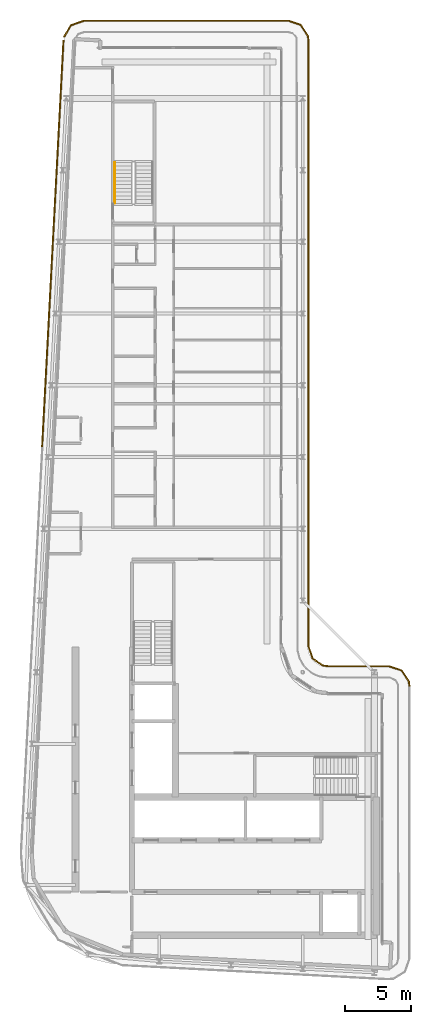
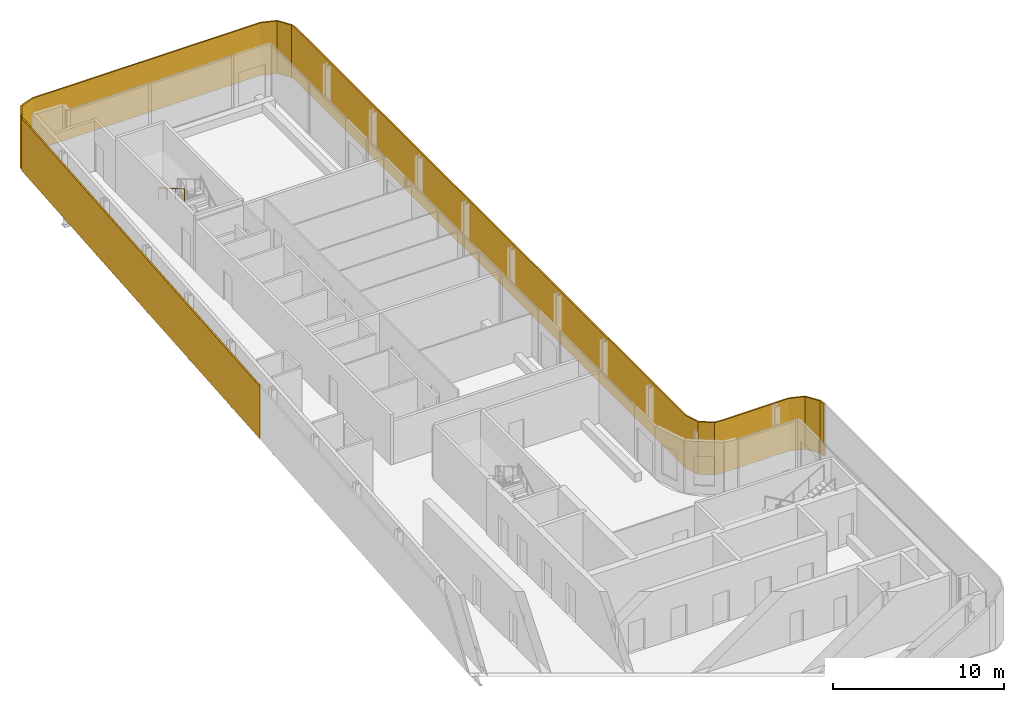
# One storey, part 17 of 19: 2 shading devices, 1 railing.
"""IFC4 building model written with IfcOpenShell, lengths in metres."""

from ifc_helpers import new_model, si_unit, direction, frame, origin, origin_2d, place, context, subcontext, project, spatial, polyline, rectangle, circle, outline, extrude, material, layer, layer_set, type_object, element, save


model = new_model("IFC4")

# Units and contexts
model_context = context("Model", 3, precision=1e-05, world=origin(), true_north=direction((0.0, 1.0)))
body_context = subcontext(model_context, "Body", "Model", "MODEL_VIEW")
ifc_project = project(units=[si_unit("LENGTHUNIT", "METRE"), si_unit("AREAUNIT", "SQUARE_METRE"), si_unit("VOLUMEUNIT", "CUBIC_METRE"), si_unit("PLANEANGLEUNIT", "RADIAN"), si_unit("MASSUNIT", "GRAM", prefix="KILO")], contexts=[model_context])

# Site, building, storey
site_placement = place(None, origin())
site = spatial("IfcSite", under=ifc_project, at=site_placement, CompositionType="ELEMENT")
building_placement = place(site_placement, origin())
building = spatial("IfcBuilding", under=site, at=building_placement, Name="Kheshtan School and Residences Tower", CompositionType="ELEMENT")
storey_placement = place(building_placement, frame((0.0, 0.0, 357.800048828125)))
storey = spatial("IfcBuildingStorey", under=building, at=storey_placement, Name="L84", CompositionType="ELEMENT", Elevation=357.800048828125)

# Shading devices
ifc_material_1 = material(Name="Terracotta baguette, extruded ceramic", Category="masonry")
ifc_layer_1 = layer(ifc_material_1, 0.10009765625)
ifc_layer_set_1 = layer_set([ifc_layer_1], Name="Ledge screen, terracotta baguettes")
shading_device_type_1 = type_object("IfcShadingDeviceType", Name="Ledge screen, terracotta baguettes", PredefinedType="USERDEFINED", material=ifc_layer_set_1)
shading_device_1_placement = place(storey_placement, frame((28.785888671875, 77.884033203125, 0.0), z_axis=(0.0, 0.0, 1.0), x_axis=(0.052562536748, 0.998617634398, 0.0)))
element("IfcShadingDevice", 1, at=shading_device_1_placement, inside=storey, type_object=shading_device_type_1, Name="Screen L84 5", ObjectType="BAGUETTE", PredefinedType="USERDEFINED", context=body_context, shape_type="SweptSolid", body=[
    extrude(rectangle(XDim=30.636962890625, YDim=0.10009765625, at=origin_2d()), origin(), (0.0, 0.0, 1.0), 3.75),
])
ifc_material_2 = material(Name="Terracotta lattice, extruded ceramic", Category="masonry")
ifc_layer_2 = layer(ifc_material_2, 0.10009765625)
ifc_layer_set_2 = layer_set([ifc_layer_2], Name="Loggia screen, terracotta lattice")
shading_device_type_2 = type_object("IfcShadingDeviceType", Name="Loggia screen, terracotta lattice", PredefinedType="USERDEFINED", material=ifc_layer_set_2)
shading_device_2_placement = place(storey_placement, origin())
element("IfcShadingDevice", 2, at=shading_device_2_placement, inside=storey, type_object=shading_device_type_2, Name="Screen L84 1", ObjectType="SCREEN", PredefinedType="USERDEFINED", context=body_context, shape_type="SweptSolid", body=[
    extrude(outline(polyline([(29.666015625, 93.384033203125), (30.18408203125, 94.257080078125), (31.138916015625, 94.60009765625), (46.5, 94.60009765625), (47.4130859375, 94.2900390625), (47.948974609375, 93.488037109375), (48.0, 93.10009765625), (48.0, 47.5), (48.31005859375, 46.5869140625), (49.112060546875, 46.051025390625), (49.5, 46.0), (54.10009765625, 46.0), (55.012939453125, 45.68994140625), (55.549072265625, 44.887939453125), (55.60009765625, 44.5), (55.698974609375, 44.512939453125), (55.64501953125, 44.924072265625), (55.076904296875, 45.77392578125), (54.116943359375, 46.10009765625), (49.507080078125, 46.10009765625), (49.14794921875, 46.14697265625), (48.39404296875, 46.65087890625), (48.10009765625, 47.51708984375), (48.10009765625, 93.10693359375), (48.044921875, 93.52392578125), (47.47705078125, 94.3740234375), (46.51708984375, 94.699951171875), (31.1220703125, 94.699951171875), (30.115966796875, 94.339111328125), (29.580078125, 93.43505859375), (29.666015625, 93.384033203125)])), origin(), (0.0, 0.0, 1.0), 3.75),
])

# Railing
ifc_material_3 = material(Name="Stainless steel handrail", Category="steel")
railing_type = type_object("IfcRailingType", Name="Stair handrail 900", PredefinedType="HANDRAIL", material=ifc_material_3)
railing_placement = place(storey_placement, frame((33.449951171875, 83.97998046875, 2.112548828125)))
element("IfcRailing", 3, at=railing_placement, inside=storey, type_object=railing_type, Name="L84 ST3 stair handrail 2", PredefinedType="HANDRAIL", context=body_context, shape_type="SweptSolid", body=[
    extrude(circle(Radius=0.02392578125, at=origin_2d()), frame((0.0, 0.0, 0.8759765625), z_axis=(0.0, -0.864920483161, 0.501908913857), x_axis=(1.0, 0.0, 0.0)), (0.0, 0.0, 1.0), 3.56103515625),
    extrude(circle(Radius=0.02099609375, at=origin_2d()), origin(), (0.0, 0.0, 1.0), 0.851806640625),
    extrude(circle(Radius=0.02099609375, at=origin_2d()), frame((0.0, -1.026611328125, 0.595703125)), (0.0, 0.0, 1.0), 0.851806640625),
    extrude(circle(Radius=0.02099609375, at=origin_2d()), frame((0.0, -2.053466796875, 1.191650390625)), (0.0, 0.0, 1.0), 0.851806640625),
    extrude(circle(Radius=0.02099609375, at=origin_2d()), frame((0.0, -3.080078125, 1.787353515625)), (0.0, 0.0, 1.0), 0.851806640625),
])

save(model, "model.ifc")
